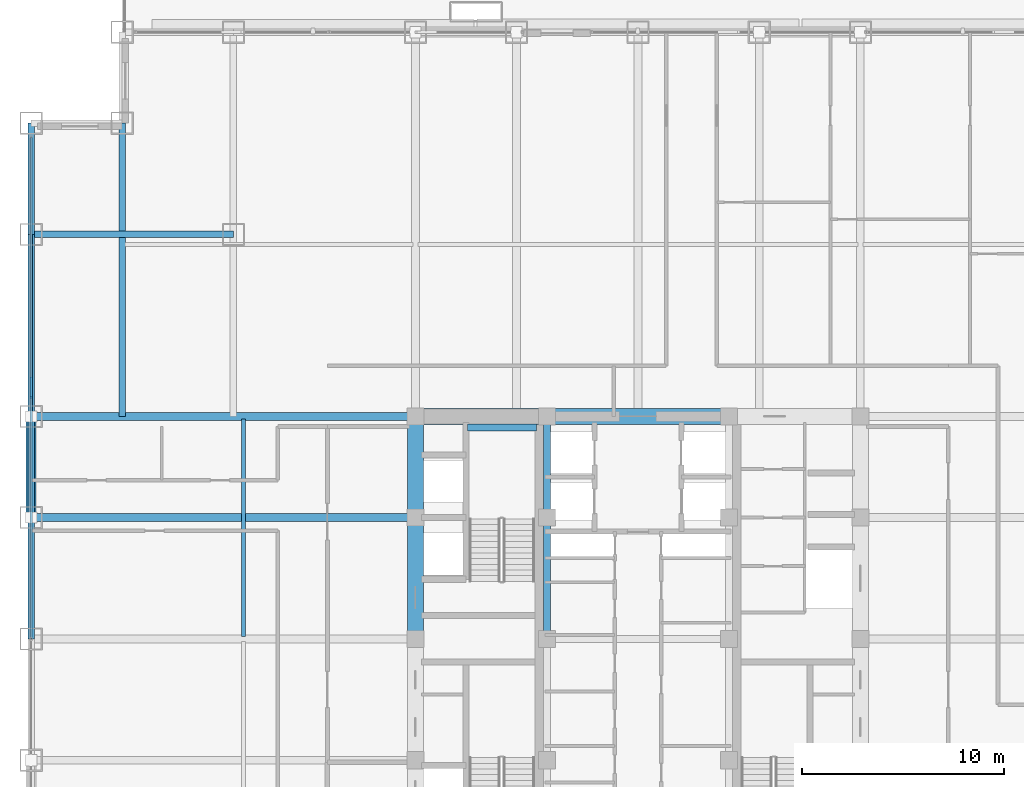
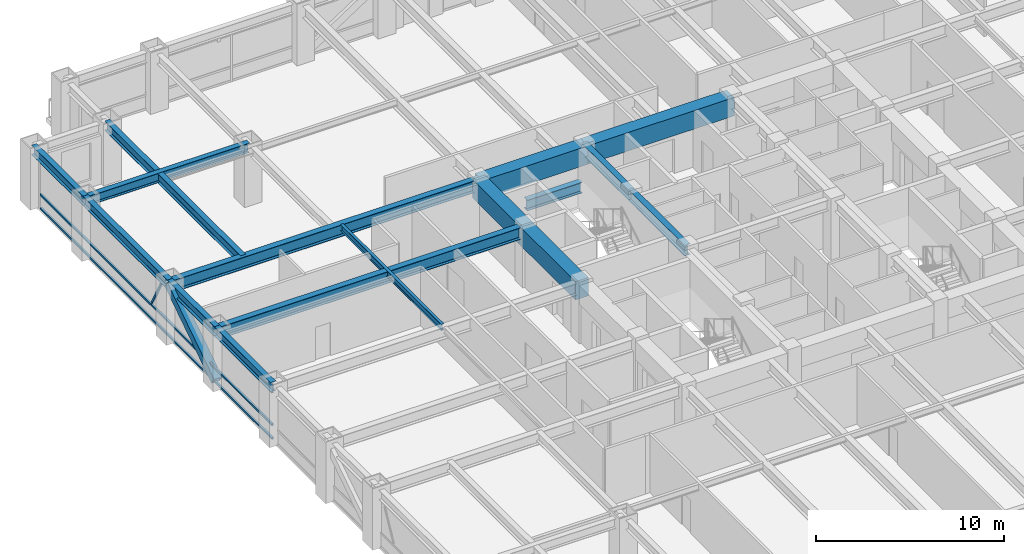
# One storey, part 14 of 35: 16 beams, 5 members, 1 element without a shape of its own.
"""IFC4 building model written with IfcOpenShell, lengths in metres."""

from ifc_helpers import new_model, si_unit, direction, frame, origin, origin_2d, place, context, subcontext, project, spatial, rectangle, hollow_rectangle, i_section, extrude, source, transform, mapped, material, material_profile, profile_set, type_object, element, aggregate, save


model = new_model("IFC4")

# Units and contexts
model_context = context("Model", 3, precision=1e-05, world=origin(), true_north=direction((0.0, 1.0)))
body_context = subcontext(model_context, "Body", "Model", "MODEL_VIEW")
ifc_project = project(units=[si_unit("LENGTHUNIT", "METRE"), si_unit("AREAUNIT", "SQUARE_METRE"), si_unit("VOLUMEUNIT", "CUBIC_METRE"), si_unit("PLANEANGLEUNIT", "RADIAN"), si_unit("MASSUNIT", "GRAM", prefix="KILO")], contexts=[model_context])

# Site, building, storey
site_placement = place(None, origin())
site = spatial("IfcSite", under=ifc_project, at=site_placement, CompositionType="ELEMENT")
building_placement = place(site_placement, origin())
building = spatial("IfcBuilding", under=site, at=building_placement, Name="Khorayat Bourse Tower", CompositionType="ELEMENT")
storey_placement = place(building_placement, frame((0.0, 0.0, 155.10009765625)))
storey = spatial("IfcBuildingStorey", under=building, at=storey_placement, Name="L35", CompositionType="ELEMENT", Elevation=155.10009765625)

# Beams
ifc_material_1 = material(Name="Concrete C72/90", Category="concrete")
ifc_material_profile_1 = material_profile(ifc_material_1, rectangle(XDim=0.800048828125, YDim=1.199951171875, at=origin_2d()), Name="RC 800x1200")
ifc_profile_set_1 = profile_set([ifc_material_profile_1], Name="Concrete C72/90")
beam_type_1 = type_object("IfcBeamType", Name="BM-COUP-1200", PredefinedType="BEAM", material=ifc_profile_set_1)
shared_shape_1 = source(origin(), body_context, "Body", "SweptSolid", [
    extrude(rectangle(XDim=0.800048828125, YDim=1.199951171875, at=origin_2d()), origin(), (0.0, 0.0, 1.0), 5.0),
])
beam_1_placement = place(storey_placement, frame((-11.0, 6.0, 3.179931640625), z_axis=(0.0, 1.0, 0.0), x_axis=(-1.0, 0.0, 0.0)))
element("IfcBeam", 1, at=beam_1_placement, inside=storey, type_object=beam_type_1, Name="L35 BM-COUP-1200 BM-L35-CRX-04", PredefinedType="BEAM", context=body_context, shape_type="MappedRepresentation", body=[
    mapped(shared_shape_1, transform((0.0, 0.0, 0.0), scale=1.0)),
])
shared_shape_2 = source(origin(), body_context, "Body", "SweptSolid", [
    extrude(rectangle(XDim=0.800048828125, YDim=1.199951171875, at=origin_2d()), origin(), (0.0, 0.0, 1.0), 6.0),
])
beam_2_placement = place(storey_placement, frame((-11.0, 0.0, 3.179931640625), z_axis=(0.0, 1.0, 0.0), x_axis=(-1.0, 0.0, 0.0)))
element("IfcBeam", 2, at=beam_2_placement, inside=storey, type_object=beam_type_1, Name="L35 BM-COUP-1200 BM-L35-CRX-03", PredefinedType="BEAM", context=body_context, shape_type="MappedRepresentation", body=[
    mapped(shared_shape_2, transform((0.0, 0.0, 0.0), scale=1.0)),
])
ifc_material_2 = material(Name="Steel ASTM A992 Grade 50", Category="steel")
ifc_material_profile_2 = material_profile(ifc_material_2, i_section(OverallWidth=0.35498046875, OverallDepth=0.695068359375, WebThickness=0.015380859375, FlangeThickness=0.02490234375, FilletRadius=0.01806640625, at=origin_2d()), Name="W690X217")
ifc_profile_set_2 = profile_set([ifc_material_profile_2], Name="Steel ASTM A992 Grade 50")
beam_type_2 = type_object("IfcBeamType", Name="BM-GIRD-690", PredefinedType="BEAM", material=ifc_profile_set_2)
shared_shape_3 = source(origin(), body_context, "Body", "SweptSolid", [
    extrude(i_section(OverallWidth=0.35498046875, OverallDepth=0.695068359375, WebThickness=0.015380859375, FlangeThickness=0.02490234375, FilletRadius=0.01806640625, at=origin_2d()), origin(), (0.0, 0.0, 1.0), 5.0),
])
beam_3_placement = place(storey_placement, frame((-4.5, 6.0, 3.432373046875), z_axis=(0.0, 1.0, 0.0), x_axis=(-1.0, 0.0, 0.0)))
element("IfcBeam", 3, at=beam_3_placement, inside=storey, type_object=beam_type_2, Name="L35 BM-GIRD-690 BM-L35-CRX-08", PredefinedType="BEAM", context=body_context, shape_type="MappedRepresentation", body=[
    mapped(shared_shape_3, transform((0.0, 0.0, 0.0), scale=1.0)),
])
shared_shape_4 = source(origin(), body_context, "Body", "SweptSolid", [
    extrude(i_section(OverallWidth=0.35498046875, OverallDepth=0.695068359375, WebThickness=0.015380859375, FlangeThickness=0.02490234375, FilletRadius=0.01806640625, at=origin_2d()), origin(), (0.0, 0.0, 1.0), 6.0),
])
beam_4_placement = place(storey_placement, frame((-4.5, 0.0, 3.432373046875), z_axis=(0.0, 1.0, 0.0), x_axis=(-1.0, 0.0, 0.0)))
element("IfcBeam", 4, at=beam_4_placement, inside=storey, type_object=beam_type_2, Name="L35 BM-GIRD-690 BM-L35-CRX-07", PredefinedType="BEAM", context=body_context, shape_type="MappedRepresentation", body=[
    mapped(shared_shape_4, transform((0.0, 0.0, 0.0), scale=1.0)),
])
shared_shape_5 = source(origin(), body_context, "Body", "SweptSolid", [
    extrude(rectangle(XDim=0.800048828125, YDim=1.199951171875, at=origin_2d()), origin(), (0.0, 0.0, 1.0), 6.5),
])
beam_5_placement = place(storey_placement, frame((-11.0, 11.0, 3.179931640625), z_axis=(1.0, 0.0, 0.0), x_axis=(0.0, 1.0, 0.0)))
element("IfcBeam", 5, at=beam_5_placement, inside=storey, type_object=beam_type_1, Name="L35 BM-COUP-1200 BM-L35-CRY-20", PredefinedType="BEAM", context=body_context, shape_type="MappedRepresentation", body=[
    mapped(shared_shape_5, transform((0.0, 0.0, 0.0), scale=1.0)),
])
shared_shape_6 = source(origin(), body_context, "Body", "SweptSolid", [
    extrude(rectangle(XDim=0.800048828125, YDim=1.199951171875, at=origin_2d()), origin(), (0.0, 0.0, 1.0), 9.0),
])
beam_6_placement = place(storey_placement, frame((-4.5, 11.0, 3.179931640625), z_axis=(1.0, 0.0, 0.0), x_axis=(0.0, 1.0, 0.0)))
element("IfcBeam", 6, at=beam_6_placement, inside=storey, type_object=beam_type_1, Name="L35 BM-COUP-1200 BM-L35-CRY-21", PredefinedType="BEAM", context=body_context, shape_type="MappedRepresentation", body=[
    mapped(shared_shape_6, transform((0.0, 0.0, 0.0), scale=1.0)),
])
shared_shape_7 = source(origin(), body_context, "Body", "SweptSolid", [
    extrude(i_section(OverallWidth=0.35498046875, OverallDepth=0.695068359375, WebThickness=0.015380859375, FlangeThickness=0.02490234375, FilletRadius=0.01806640625, at=origin_2d()), origin(), (0.0, 0.0, 1.0), 3.39990234375),
])
beam_7_placement = place(storey_placement, frame((-8.419921875, 10.449951171875, 1.452392578125), z_axis=(1.0, 0.0, 0.0), x_axis=(0.0, 1.0, 0.0)))
element("IfcBeam", 7, at=beam_7_placement, inside=storey, type_object=beam_type_2, Name="L35 BM-GIRD-690 BM-L35-ST2L", PredefinedType="BEAM", context=body_context, shape_type="MappedRepresentation", body=[
    mapped(shared_shape_7, transform((0.0, 0.0, 0.0), scale=1.0)),
])
ifc_material_profile_3 = material_profile(ifc_material_2, i_section(OverallWidth=0.381103515625, OverallDepth=0.77294921875, WebThickness=0.0166015625, FlangeThickness=0.027587890625, FilletRadius=0.01806640625, at=origin_2d()), Name="W760X257")
ifc_profile_set_3 = profile_set([ifc_material_profile_3], Name="Steel ASTM A992 Grade 50")
beam_type_3 = type_object("IfcBeamType", Name="BM-GIRD-760", PredefinedType="BEAM", material=ifc_profile_set_3)
shared_shape_8 = source(origin(), body_context, "Body", "SweptSolid", [
    extrude(i_section(OverallWidth=0.381103515625, OverallDepth=0.77294921875, WebThickness=0.0166015625, FlangeThickness=0.027587890625, FilletRadius=0.01806640625, at=origin_2d()), origin(), (0.0, 0.0, 1.0), 19.0),
])
for number, where, z_axis, x_axis, name in (
    (8, (-30.0, 6.0, 3.393310546875), (1.0, 0.0, 0.0), (0.0, 1.0, 0.0), "L35 BM-GIRD-760 BM-L35-RADX-081"),
    (9, (-30.0, 11.0, 3.393310546875), (1.0, 0.0, 0.0), (0.0, 1.0, 0.0), "L35 BM-GIRD-760 BM-L35-RADX-083"),
):
    element("IfcBeam", number, at=place(storey_placement, frame(where, z_axis=z_axis, x_axis=x_axis)), inside=storey, type_object=beam_type_3, Name=name, PredefinedType="BEAM", context=body_context, shape_type="MappedRepresentation", body=[
        mapped(shared_shape_8, transform((0.0, 0.0, 0.0), scale=1.0)),
    ])
ifc_material_profile_4 = material_profile(ifc_material_2, i_section(OverallWidth=0.324951171875, OverallDepth=0.615966796875, WebThickness=0.013916015625, FlangeThickness=0.021484375, FilletRadius=0.01611328125, at=origin_2d()), Name="W610X174")
ifc_profile_set_4 = profile_set([ifc_material_profile_4], Name="Steel ASTM A992 Grade 50")
beam_type_4 = type_object("IfcBeamType", Name="BM-GIRD-610", PredefinedType="BEAM", material=ifc_profile_set_4)
shared_shape_9 = source(origin(), body_context, "Body", "SweptSolid", [
    extrude(i_section(OverallWidth=0.324951171875, OverallDepth=0.615966796875, WebThickness=0.013916015625, FlangeThickness=0.021484375, FilletRadius=0.01611328125, at=origin_2d()), origin(), (0.0, 0.0, 1.0), 14.5),
])
beam_8_placement = place(storey_placement, frame((-25.5, 11.0, 3.471923828125), z_axis=(0.0, 1.0, 0.0), x_axis=(-1.0, 0.0, 0.0)))
element("IfcBeam", 10, at=beam_8_placement, inside=storey, type_object=beam_type_4, Name="L35 BM-GIRD-610 BM-L35-CNRY-089", PredefinedType="BEAM", context=body_context, shape_type="MappedRepresentation", body=[
    mapped(shared_shape_9, transform((0.0, 0.0, 0.0), scale=1.0)),
])
shared_shape_10 = source(origin(), body_context, "Body", "SweptSolid", [
    extrude(i_section(OverallWidth=0.324951171875, OverallDepth=0.615966796875, WebThickness=0.013916015625, FlangeThickness=0.021484375, FilletRadius=0.01611328125, at=origin_2d()), origin(), (0.0, 0.0, 1.0), 10.0),
])
beam_9_placement = place(storey_placement, frame((-30.0, 20.0, 3.471923828125), z_axis=(1.0, 0.0, 0.0), x_axis=(0.0, 1.0, 0.0)))
element("IfcBeam", 11, at=beam_9_placement, inside=storey, type_object=beam_type_4, Name="L35 BM-GIRD-610 BM-L35-CNRX-095", PredefinedType="BEAM", context=body_context, shape_type="MappedRepresentation", body=[
    mapped(shared_shape_10, transform((0.0, 0.0, 0.0), scale=1.0)),
])
ifc_material_profile_5 = material_profile(ifc_material_2, i_section(OverallWidth=0.180908203125, OverallDepth=0.4169921875, WebThickness=0.010986328125, FlangeThickness=0.018310546875, FilletRadius=0.011962890625, at=origin_2d()), Name="W410X85")
ifc_profile_set_5 = profile_set([ifc_material_profile_5], Name="Steel ASTM A992 Grade 50")
beam_type_5 = type_object("IfcBeamType", Name="BM-JOIST-410", PredefinedType="JOIST", material=ifc_profile_set_5)
shared_shape_11 = source(origin(), body_context, "Body", "SweptSolid", [
    extrude(i_section(OverallWidth=0.180908203125, OverallDepth=0.4169921875, WebThickness=0.010986328125, FlangeThickness=0.018310546875, FilletRadius=0.011962890625, at=origin_2d()), origin(), (0.0, 0.0, 1.0), 10.740234375),
])
beam_10_placement = place(storey_placement, frame((-19.5, 0.1298828125, 3.5712890625), z_axis=(0.0, 1.0, 0.0), x_axis=(-1.0, 0.0, 0.0)))
element("IfcBeam", 12, at=beam_10_placement, inside=storey, type_object=beam_type_5, Name="L35 BM-JOIST-410 BM-L35-JSTY-103", PredefinedType="JOIST", context=body_context, shape_type="MappedRepresentation", body=[
    mapped(shared_shape_11, transform((0.0, 0.0, 0.0), scale=1.0)),
])
ifc_material_profile_6 = material_profile(ifc_material_2, i_section(OverallWidth=0.324951171875, OverallDepth=0.615966796875, WebThickness=0.013916015625, FlangeThickness=0.021484375, FilletRadius=0.01611328125, at=origin_2d()), Name="W610X174")
ifc_profile_set_6 = profile_set([ifc_material_profile_6], Name="Steel ASTM A992 Grade 50")
beam_type_6 = type_object("IfcBeamType", Name="BM-SPAN-610", PredefinedType="SPANDREL", material=ifc_profile_set_6)
shared_shape_12 = source(origin(), body_context, "Body", "SweptSolid", [
    extrude(i_section(OverallWidth=0.324951171875, OverallDepth=0.615966796875, WebThickness=0.013916015625, FlangeThickness=0.021484375, FilletRadius=0.01611328125, at=origin_2d()), origin(), (0.0, 0.0, 1.0), 5.5),
])
beam_11_placement = place(storey_placement, frame((-30.0, 20.0, 3.471923828125), z_axis=(0.0, 1.0, 0.0), x_axis=(-1.0, 0.0, 0.0)))
element("IfcBeam", 13, at=beam_11_placement, inside=storey, type_object=beam_type_6, Name="L35 BM-SPAN-610 BM-L35-SPN-054", PredefinedType="SPANDREL", context=body_context, shape_type="MappedRepresentation", body=[
    mapped(shared_shape_12, transform((0.0, 0.0, 0.0), scale=1.0)),
])
shared_shape_13 = source(origin(), body_context, "Body", "SweptSolid", [
    extrude(i_section(OverallWidth=0.324951171875, OverallDepth=0.615966796875, WebThickness=0.013916015625, FlangeThickness=0.021484375, FilletRadius=0.01611328125, at=origin_2d()), origin(), (0.0, 0.0, 1.0), 9.0),
])
beam_12_placement = place(storey_placement, frame((-30.0, 11.0, 3.471923828125), z_axis=(0.0, 1.0, 0.0), x_axis=(-1.0, 0.0, 0.0)))
element("IfcBeam", 14, at=beam_12_placement, inside=storey, type_object=beam_type_6, Name="L35 BM-SPAN-610 BM-L35-SPN-055", PredefinedType="SPANDREL", context=body_context, shape_type="MappedRepresentation", body=[
    mapped(shared_shape_13, transform((0.0, 0.0, 0.0), scale=1.0)),
])
shared_shape_14 = source(origin(), body_context, "Body", "SweptSolid", [
    extrude(i_section(OverallWidth=0.324951171875, OverallDepth=0.615966796875, WebThickness=0.013916015625, FlangeThickness=0.021484375, FilletRadius=0.01611328125, at=origin_2d()), origin(), (0.0, 0.0, 1.0), 5.0),
])
beam_13_placement = place(storey_placement, frame((-30.0, 6.0, 3.471923828125), z_axis=(0.0, 1.0, 0.0), x_axis=(-1.0, 0.0, 0.0)))
element("IfcBeam", 15, at=beam_13_placement, inside=storey, type_object=beam_type_6, Name="L35 BM-SPAN-610 BM-L35-SPN-056", PredefinedType="SPANDREL", context=body_context, shape_type="MappedRepresentation", body=[
    mapped(shared_shape_14, transform((0.0, 0.0, 0.0), scale=1.0)),
])
shared_shape_15 = source(origin(), body_context, "Body", "SweptSolid", [
    extrude(i_section(OverallWidth=0.324951171875, OverallDepth=0.615966796875, WebThickness=0.013916015625, FlangeThickness=0.021484375, FilletRadius=0.01611328125, at=origin_2d()), origin(), (0.0, 0.0, 1.0), 6.0),
])
beam_14_placement = place(storey_placement, frame((-30.0, 0.0, 3.471923828125), z_axis=(0.0, 1.0, 0.0), x_axis=(-1.0, 0.0, 0.0)))
element("IfcBeam", 16, at=beam_14_placement, inside=storey, type_object=beam_type_6, Name="L35 BM-SPAN-610 BM-L35-SPN-057", PredefinedType="SPANDREL", context=body_context, shape_type="MappedRepresentation", body=[
    mapped(shared_shape_15, transform((0.0, 0.0, 0.0), scale=1.0)),
])

# Member
ifc_material_3 = material(Name="Steel EN 10025-4 S460M", Category="steel")
ifc_material_profile_7 = material_profile(ifc_material_3, hollow_rectangle(XDim=0.5, YDim=0.5, WallThickness=0.028076171875, at=origin_2d()), Name="HSS 500x500x28")
ifc_profile_set_7 = profile_set([ifc_material_profile_7], Name="Steel EN 10025-4 S460M")
member_type_1 = type_object("IfcMemberType", Name="MBR-TUBE-500", PredefinedType="BRACE", material=ifc_profile_set_7)
shared_shape_16 = source(origin(), body_context, "Body", "SweptSolid", [
    extrude(hollow_rectangle(XDim=0.5, YDim=0.5, WallThickness=0.028076171875, at=origin_2d()), origin(), (0.0, 0.0, 1.0), 5.979736328125),
])
member_1_placement = place(storey_placement, frame((-30.0, 6.0, 0.25), z_axis=(0.0, 0.836160261256, 0.548485202623), x_axis=(-1.0, 0.0, 0.0)))
element("IfcMember", 17, at=member_1_placement, inside=storey, type_object=member_type_1, Name="L35 Perimeter Tube Brace 06", PredefinedType="BRACE", context=body_context, shape_type="MappedRepresentation", body=[
    mapped(shared_shape_16, transform((0.0, 0.0, 0.0), scale=1.0)),
])

# Curtain wall, members
ifc_material_4 = material(Name="Aluminium EN AW-6063 T6", Category="aluminium")
curtain_wall_type = type_object("IfcCurtainWallType", Name="CW-SYS-03", PredefinedType="NOTDEFINED", material=ifc_material_4)
curtain_wall_placement = place(storey_placement, origin())
curtain_wall = element("IfcCurtainWall", 18, at=curtain_wall_placement, inside=storey, type_object=curtain_wall_type, Name="L35 Curtain Wall CW-L35-W1", PredefinedType="NOTDEFINED")
ifc_material_profile_8 = material_profile(ifc_material_4, hollow_rectangle(XDim=0.1201171875, YDim=0.1201171875, WallThickness=0.0048828125, at=origin_2d()), Name="ALU 120x120x5")
ifc_profile_set_8 = profile_set([ifc_material_profile_8], Name="Aluminium EN AW-6063 T6")
member_type_2 = type_object("IfcMemberType", Name="CWM-DIAG-120", PredefinedType="MULLION", material=ifc_profile_set_8)
shared_shape_17 = source(origin(), body_context, "Body", "SweptSolid", [
    extrude(hollow_rectangle(XDim=0.1201171875, YDim=0.1201171875, WallThickness=0.0048828125, at=origin_2d()), origin(), (0.0, 0.0, 1.0), 2.079345703125),
])
member_2_placement = place(storey_placement, frame((-30.0, 12.904296875, 1.08984375), z_axis=(0.0, -0.465760949701, 0.884910581773), x_axis=(1.0, 0.0, 0.0)))
member_2 = element("IfcMember", 19, at=member_2_placement, type_object=member_type_2, Name="CW-L35-W1 Faceted Diagonal Mullion 2", PredefinedType="MULLION", context=body_context, shape_type="MappedRepresentation", body=[
    mapped(shared_shape_17, transform((0.0, 0.0, 0.0), scale=1.0)),
])
ifc_material_profile_9 = material_profile(ifc_material_4, hollow_rectangle(XDim=0.1201171875, YDim=0.1201171875, WallThickness=0.0048828125, at=origin_2d()), Name="ALU 120x120x5")
ifc_profile_set_9 = profile_set([ifc_material_profile_9], Name="Aluminium EN AW-6063 T6")
member_type_3 = type_object("IfcMemberType", Name="CWT-HORZ-120", PredefinedType="USERDEFINED", material=ifc_profile_set_9)
shared_shape_18 = source(origin(), body_context, "Body", "SweptSolid", [
    extrude(hollow_rectangle(XDim=0.1201171875, YDim=0.1201171875, WallThickness=0.0048828125, at=origin_2d()), origin(), (0.0, 0.0, 1.0), 24.719970703125),
])
member_3_placement = place(storey_placement, frame((-30.0, 0.06005859375, 0.059814453125), z_axis=(0.0, 1.0, 0.0), x_axis=(-1.0, 0.0, 0.0)))
member_3 = element("IfcMember", 20, at=member_3_placement, type_object=member_type_3, Name="CW-L35-W1 Horizontal Transom 2-1", ObjectType="TRANSOM", PredefinedType="USERDEFINED", context=body_context, shape_type="MappedRepresentation", body=[
    mapped(shared_shape_18, transform((0.0, 0.0, 0.0), scale=1.0)),
])
member_4_placement = place(storey_placement, frame((-30.0, 0.06005859375, 0.949951171875), z_axis=(0.0, 1.0, 0.0), x_axis=(-1.0, 0.0, 0.0)))
member_4 = element("IfcMember", 21, at=member_4_placement, type_object=member_type_3, Name="CW-L35-W1 Horizontal Transom 2-2", ObjectType="TRANSOM", PredefinedType="USERDEFINED", context=body_context, shape_type="MappedRepresentation", body=[
    mapped(shared_shape_18, transform((0.0, 0.0, 0.0), scale=1.0)),
])
member_5_placement = place(storey_placement, frame((-30.0, 0.06005859375, 3.06982421875), z_axis=(0.0, 1.0, 0.0), x_axis=(-1.0, 0.0, 0.0)))
member_5 = element("IfcMember", 22, at=member_5_placement, type_object=member_type_3, Name="CW-L35-W1 Horizontal Transom 2-3", ObjectType="TRANSOM", PredefinedType="USERDEFINED", context=body_context, shape_type="MappedRepresentation", body=[
    mapped(shared_shape_18, transform((0.0, 0.0, 0.0), scale=1.0)),
])
aggregate(curtain_wall, [member_3, member_4, member_5, member_2])

save(model, "model.ifc")
